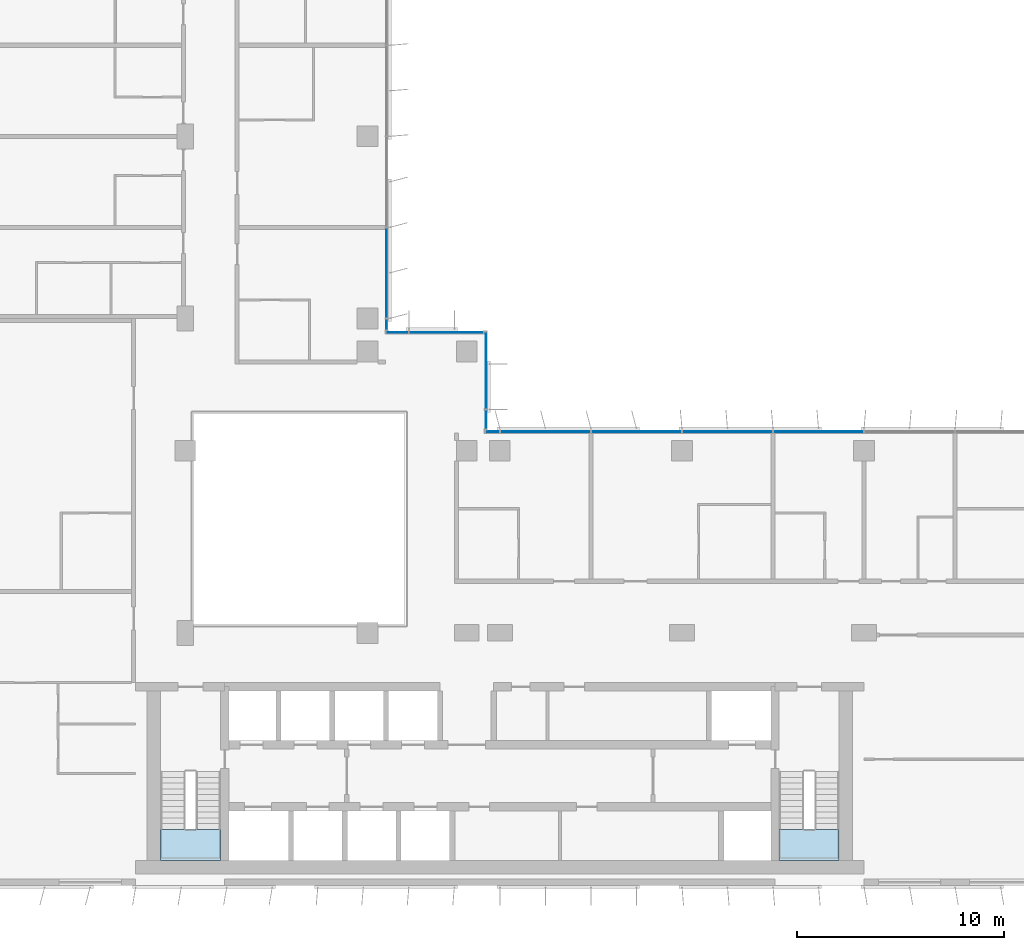
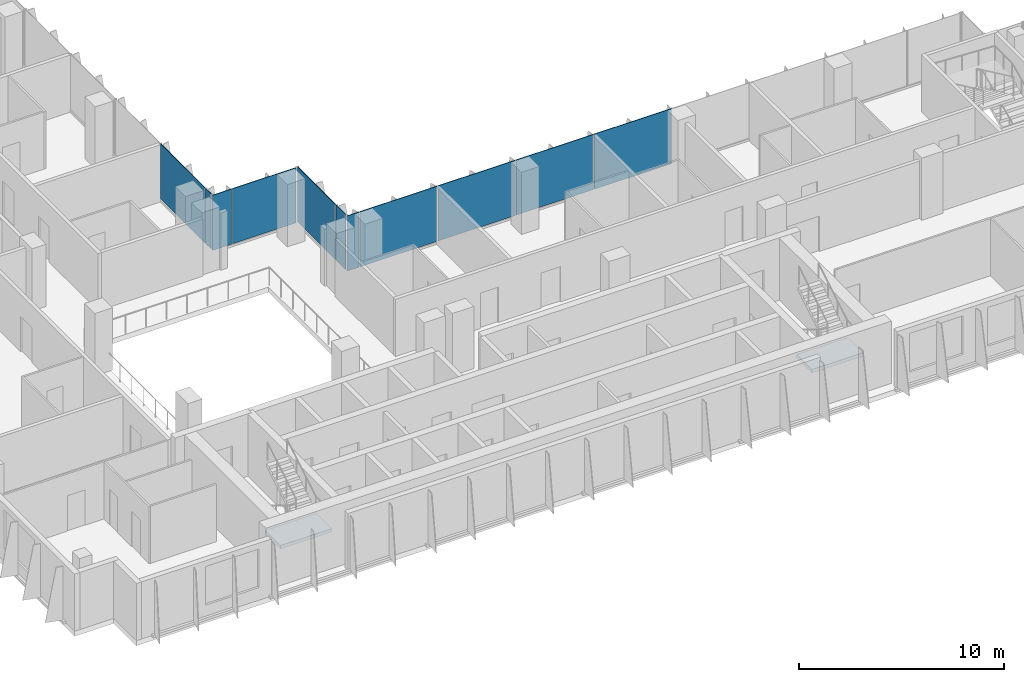
# One storey, part 10 of 21: 11 plates, 2 slabs, 6 elements without a shape of their own.
"""IFC4 building model written with IfcOpenShell, lengths in metres."""

from ifc_helpers import new_model, si_unit, direction, frame, origin, origin_2d, place, context, subcontext, project, spatial, polyline, rectangle, outline, extrude, source, transform, mapped, material, layer, layer_set, type_object, element, aggregate, save


model = new_model("IFC4")

# Units and contexts
model_context = context("Model", 3, precision=1e-05, world=origin(), true_north=direction((0.0, 1.0)))
body_context = subcontext(model_context, "Body", "Model", "MODEL_VIEW")
ifc_project = project(units=[si_unit("LENGTHUNIT", "METRE"), si_unit("AREAUNIT", "SQUARE_METRE"), si_unit("VOLUMEUNIT", "CUBIC_METRE"), si_unit("PLANEANGLEUNIT", "RADIAN"), si_unit("MASSUNIT", "GRAM", prefix="KILO")], contexts=[model_context])

# Site, building, storey
site_placement = place(None, origin())
site = spatial("IfcSite", under=ifc_project, at=site_placement, CompositionType="ELEMENT")
building_placement = place(site_placement, origin())
building = spatial("IfcBuilding", under=site, at=building_placement, Name="Kemantara Hotel Tower", CompositionType="ELEMENT")
storey_placement = place(building_placement, frame((0.0, 0.0, 175.300048828125)))
storey = spatial("IfcBuildingStorey", under=building, at=storey_placement, Name="L43", CompositionType="ELEMENT", Elevation=175.300048828125)

# Stair, slab
ifc_material_1 = material(Name="Concrete fc 40 MPa", Category="concrete")
stair_type = type_object("IfcStairType", Name="Stair 1200 wide 22 risers of 168 x 280 mm", PredefinedType="HALF_TURN_STAIR", material=ifc_material_1)
stair_1_placement = place(storey_placement, origin())
stair_1 = element("IfcStair", 1, at=stair_1_placement, inside=storey, type_object=stair_type, Name="L43 Exit stair ST1", PredefinedType="HALF_TURN_STAIR")
ifc_layer_1 = layer(ifc_material_1, 0.199951171875)
ifc_layer_set_1 = layer_set([ifc_layer_1], Name="Concrete fc 40 MPa")
slab_type = type_object("IfcSlabType", Name="Stair landing 200 mm", PredefinedType="LANDING", material=ifc_layer_set_1)
slab_1_placement = place(storey_placement, frame((0.0, 0.0, 1.64990234375)))
slab_1 = element("IfcSlab", 2, at=slab_1_placement, type_object=slab_type, Name="ST1 landing 1", PredefinedType="LANDING", context=body_context, shape_type="SweptSolid", body=[
    extrude(outline(polyline([(11.0, 2.699951171875), (11.0, 1.199951171875), (13.89990234375, 1.199951171875), (13.89990234375, 2.699951171875), (11.0, 2.699951171875)])), origin(), (0.0, 0.0, 1.0), 0.199951171875),
])
aggregate(stair_1, [slab_1])

stair_2_placement = place(storey_placement, origin())
stair_2 = element("IfcStair", 3, at=stair_2_placement, inside=storey, type_object=stair_type, Name="L43 Exit stair ST2", PredefinedType="HALF_TURN_STAIR")
slab_2_placement = place(storey_placement, frame((0.0, 0.0, 1.64990234375)))
slab_2 = element("IfcSlab", 4, at=slab_2_placement, type_object=slab_type, Name="ST2 landing 1", PredefinedType="LANDING", context=body_context, shape_type="SweptSolid", body=[
    extrude(outline(polyline([(40.89990234375, 2.699951171875), (40.89990234375, 1.199951171875), (43.800048828125, 1.199951171875), (43.800048828125, 2.699951171875), (40.89990234375, 2.699951171875)])), origin(), (0.0, 0.0, 1.0), 0.199951171875),
])
aggregate(stair_2, [slab_2])

# Curtain wall, plates
ifc_material_2 = material(Name="Low-E tinted double insulated glass 36 mm", Category="glass")
curtain_wall_type = type_object("IfcCurtainWallType", Name="TOWER CURTAIN WALL, FRONT FACES", PredefinedType="USERDEFINED", material=ifc_material_2)
curtain_wall_1_placement = place(storey_placement, origin())
curtain_wall_1 = element("IfcCurtainWall", 5, at=curtain_wall_1_placement, inside=storey, type_object=curtain_wall_type, Name="CW4 L43 T3-R14-1", ObjectType="TOWER CURTAIN WALL, FRONT FACES", PredefinedType="USERDEFINED")
ifc_layer_2 = layer(ifc_material_2, 0.035888671875)
ifc_layer_set_2 = layer_set([ifc_layer_2], Name="Low-E tinted double insulated glass 36 mm")
plate_type = type_object("IfcPlateType", Name="TOWER CURTAIN WALL, FRONT FACES PANEL", PredefinedType="CURTAIN_PANEL", material=ifc_layer_set_2)
shared_shape_1 = source(origin(), body_context, "Body", "SweptSolid", [
    extrude(rectangle(XDim=4.340087890625, YDim=0.035888671875, at=origin_2d()), origin(), (0.0, 0.0, 1.0), 3.280029296875),
])
plate_1_placement = place(storey_placement, frame((42.800048828125, 21.925048828125, 0.1201171875), z_axis=(0.0, 0.0, 1.0), x_axis=(-1.0, 0.0, 0.0)))
plate_1 = element("IfcPlate", 6, at=plate_1_placement, type_object=plate_type, Name="CW4 glass panel T3-R14-1.5", PredefinedType="CURTAIN_PANEL", context=body_context, shape_type="MappedRepresentation", body=[
    mapped(shared_shape_1, transform((0.0, 0.0, 0.0))),
])
plate_2_placement = place(storey_placement, frame((38.39990234375, 21.925048828125, 0.1201171875), z_axis=(0.0, 0.0, 1.0), x_axis=(-1.0, 0.0, 0.0)))
plate_2 = element("IfcPlate", 7, at=plate_2_placement, type_object=plate_type, Name="CW4 glass panel T3-R14-1.6", PredefinedType="CURTAIN_PANEL", context=body_context, shape_type="MappedRepresentation", body=[
    mapped(shared_shape_1, transform((0.0, 0.0, 0.0))),
])
plate_3_placement = place(storey_placement, frame((34.0, 21.925048828125, 0.1201171875), z_axis=(0.0, 0.0, 1.0), x_axis=(-1.0, 0.0, 0.0)))
plate_3 = element("IfcPlate", 8, at=plate_3_placement, type_object=plate_type, Name="CW4 glass panel T3-R14-1.7", PredefinedType="CURTAIN_PANEL", context=body_context, shape_type="MappedRepresentation", body=[
    mapped(shared_shape_1, transform((0.0, 0.0, 0.0))),
])
plate_4_placement = place(storey_placement, frame((29.60009765625, 21.925048828125, 0.1201171875), z_axis=(0.0, 0.0, 1.0), x_axis=(-1.0, 0.0, 0.0)))
plate_4 = element("IfcPlate", 9, at=plate_4_placement, type_object=plate_type, Name="CW4 glass panel T3-R14-1.8", PredefinedType="CURTAIN_PANEL", context=body_context, shape_type="MappedRepresentation", body=[
    mapped(shared_shape_1, transform((0.0, 0.0, 0.0))),
])

# Curtain wall, plate
curtain_wall_2_placement = place(storey_placement, origin())
curtain_wall_2 = element("IfcCurtainWall", 10, at=curtain_wall_2_placement, inside=storey, type_object=curtain_wall_type, Name="CW4 L43 T3-R17-1", ObjectType="TOWER CURTAIN WALL, FRONT FACES", PredefinedType="USERDEFINED")
plate_5_placement = place(storey_placement, frame((21.925048828125, 29.60009765625, 0.1201171875), z_axis=(0.0, 0.0, 1.0), x_axis=(0.0, 1.0, 0.0)))
plate_5 = element("IfcPlate", 11, at=plate_5_placement, type_object=plate_type, Name="CW4 glass panel T3-R17-1.2", PredefinedType="CURTAIN_PANEL", context=body_context, shape_type="MappedRepresentation", body=[
    mapped(shared_shape_1, transform((0.0, 0.0, 0.0))),
])

# Plate
shared_shape_2 = source(origin(), body_context, "Body", "SweptSolid", [
    extrude(rectangle(XDim=0.659912109375, YDim=0.035888671875, at=origin_2d()), origin(), (0.0, 0.0, 1.0), 3.280029296875),
])
plate_6_placement = place(storey_placement, frame((27.0400390625, 21.925048828125, 0.1201171875), z_axis=(0.0, 0.0, 1.0), x_axis=(-1.0, 0.0, 0.0)))
plate_6 = element("IfcPlate", 12, at=plate_6_placement, type_object=plate_type, Name="CW4 glass panel T3-R14-1.9", PredefinedType="CURTAIN_PANEL", context=body_context, shape_type="MappedRepresentation", body=[
    mapped(shared_shape_2, transform((0.0, 0.0, 0.0))),
])

aggregate(curtain_wall_1, [plate_1, plate_2, plate_3, plate_4, plate_6])

shared_shape_3 = source(origin(), body_context, "Body", "SweptSolid", [
    extrude(rectangle(XDim=0.510009765625, YDim=0.035888671875, at=origin_2d()), origin(), (0.0, 0.0, 1.0), 3.280029296875),
])
plate_7_placement = place(storey_placement, frame((21.925048828125, 27.114990234375, 0.1201171875), z_axis=(0.0, 0.0, 1.0), x_axis=(0.0, 1.0, 0.0)))
plate_7 = element("IfcPlate", 13, at=plate_7_placement, type_object=plate_type, Name="CW4 glass panel T3-R17-1.1", PredefinedType="CURTAIN_PANEL", context=body_context, shape_type="MappedRepresentation", body=[
    mapped(shared_shape_3, transform((0.0, 0.0, 0.0))),
])

aggregate(curtain_wall_2, [plate_7, plate_5])

# Curtain wall, plates
curtain_wall_3_placement = place(storey_placement, origin())
curtain_wall_3 = element("IfcCurtainWall", 14, at=curtain_wall_3_placement, inside=storey, type_object=curtain_wall_type, Name="CW4 L43 T3-R15-1", ObjectType="TOWER CURTAIN WALL, FRONT FACES", PredefinedType="USERDEFINED")
shared_shape_4 = source(origin(), body_context, "Body", "SweptSolid", [
    extrude(rectangle(XDim=0.909912109375, YDim=0.035888671875, at=origin_2d()), origin(), (0.0, 0.0, 1.0), 3.280029296875),
])
plate_8_placement = place(storey_placement, frame((26.72509765625, 22.514892578125, 0.1201171875), z_axis=(0.0, 0.0, 1.0), x_axis=(0.0, 1.0, 0.0)))
plate_8 = element("IfcPlate", 15, at=plate_8_placement, type_object=plate_type, Name="CW4 glass panel T3-R15-1.1", PredefinedType="CURTAIN_PANEL", context=body_context, shape_type="MappedRepresentation", body=[
    mapped(shared_shape_4, transform((0.0, 0.0, 0.0))),
])
shared_shape_5 = source(origin(), body_context, "Body", "SweptSolid", [
    extrude(rectangle(XDim=3.7099609375, YDim=0.035888671875, at=origin_2d()), origin(), (0.0, 0.0, 1.0), 3.280029296875),
])
plate_9_placement = place(storey_placement, frame((26.72509765625, 24.885009765625, 0.1201171875), z_axis=(0.0, 0.0, 1.0), x_axis=(0.0, 1.0, 0.0)))
plate_9 = element("IfcPlate", 16, at=plate_9_placement, type_object=plate_type, Name="CW4 glass panel T3-R15-1.2", PredefinedType="CURTAIN_PANEL", context=body_context, shape_type="MappedRepresentation", body=[
    mapped(shared_shape_5, transform((0.0, 0.0, 0.0))),
])
aggregate(curtain_wall_3, [plate_8, plate_9])

curtain_wall_4_placement = place(storey_placement, origin())
curtain_wall_4 = element("IfcCurtainWall", 17, at=curtain_wall_4_placement, inside=storey, type_object=curtain_wall_type, Name="CW4 L43 T3-R16-1", ObjectType="TOWER CURTAIN WALL, FRONT FACES", PredefinedType="USERDEFINED")
shared_shape_6 = source(origin(), body_context, "Body", "SweptSolid", [
    extrude(rectangle(XDim=3.56005859375, YDim=0.035888671875, at=origin_2d()), origin(), (0.0, 0.0, 1.0), 3.280029296875),
])
plate_10_placement = place(storey_placement, frame((24.81005859375, 26.72509765625, 0.1201171875), z_axis=(0.0, 0.0, 1.0), x_axis=(-1.0, 0.0, 0.0)))
plate_10 = element("IfcPlate", 18, at=plate_10_placement, type_object=plate_type, Name="CW4 glass panel T3-R16-1.1", PredefinedType="CURTAIN_PANEL", context=body_context, shape_type="MappedRepresentation", body=[
    mapped(shared_shape_6, transform((0.0, 0.0, 0.0))),
])
shared_shape_7 = source(origin(), body_context, "Body", "SweptSolid", [
    extrude(rectangle(XDim=1.06005859375, YDim=0.035888671875, at=origin_2d()), origin(), (0.0, 0.0, 1.0), 3.280029296875),
])
plate_11_placement = place(storey_placement, frame((22.43994140625, 26.72509765625, 0.1201171875), z_axis=(0.0, 0.0, 1.0), x_axis=(-1.0, 0.0, 0.0)))
plate_11 = element("IfcPlate", 19, at=plate_11_placement, type_object=plate_type, Name="CW4 glass panel T3-R16-1.2", PredefinedType="CURTAIN_PANEL", context=body_context, shape_type="MappedRepresentation", body=[
    mapped(shared_shape_7, transform((0.0, 0.0, 0.0))),
])
aggregate(curtain_wall_4, [plate_10, plate_11])

save(model, "model.ifc")
